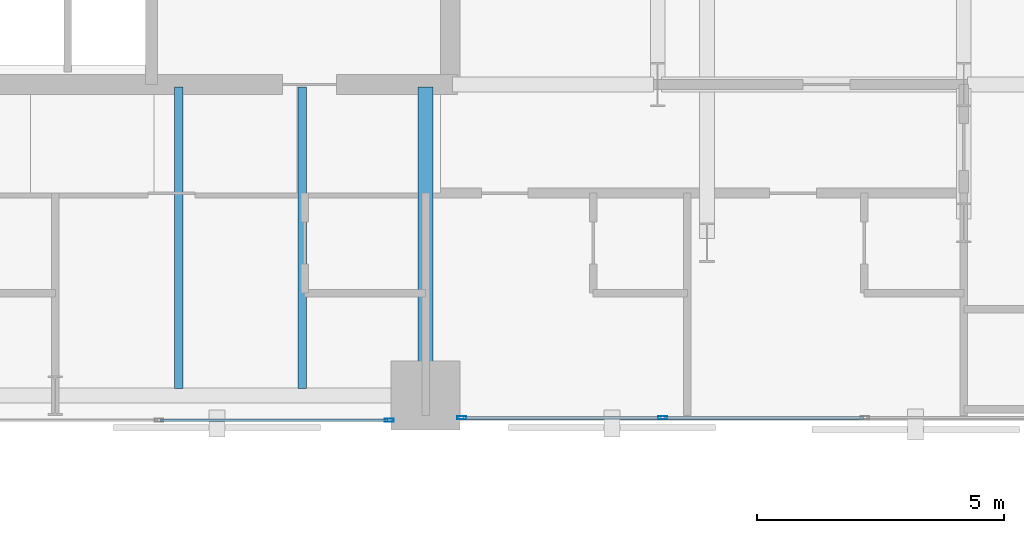
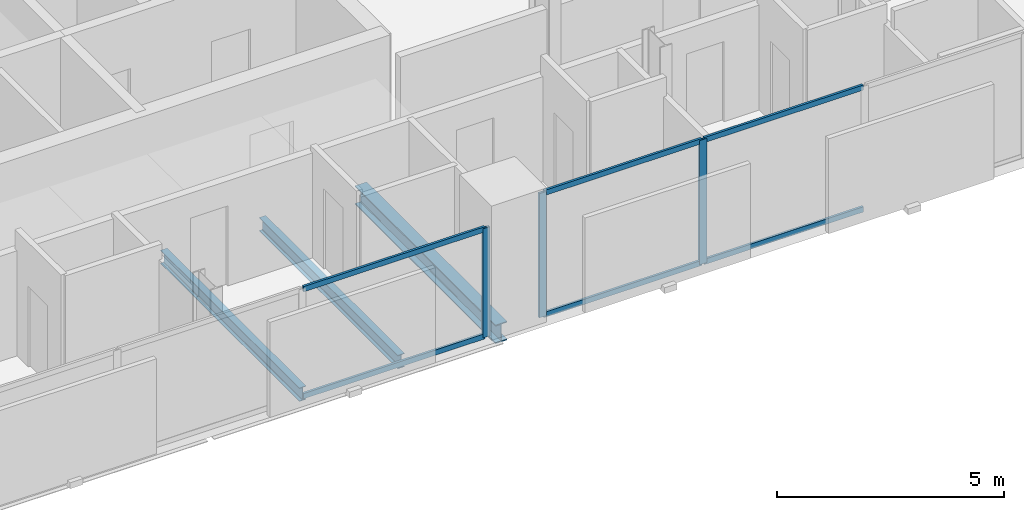
# One storey, part 15 of 33: 9 members, 3 beams, 2 elements without a shape of their own.
"""IFC4 building model written with IfcOpenShell, lengths in metres."""

from ifc_helpers import new_model, si_unit, direction, frame, origin, origin_2d, place, context, subcontext, project, spatial, hollow_rectangle, i_section, extrude, material, layer, layer_set, material_profile, profile_set, type_object, element, aggregate, save


model = new_model("IFC4")

# Units and contexts
model_context = context("Model", 3, precision=1e-05, world=origin(), true_north=direction((0.0, 1.0)))
body_context = subcontext(model_context, "Body", "Model", "MODEL_VIEW")
ifc_project = project(units=[si_unit("LENGTHUNIT", "METRE"), si_unit("AREAUNIT", "SQUARE_METRE"), si_unit("VOLUMEUNIT", "CUBIC_METRE"), si_unit("PLANEANGLEUNIT", "RADIAN"), si_unit("MASSUNIT", "GRAM", prefix="KILO")], contexts=[model_context])

# Site, building, storey
site_placement = place(None, origin())
site = spatial("IfcSite", under=ifc_project, at=site_placement, CompositionType="ELEMENT")
building_placement = place(site_placement, origin())
building = spatial("IfcBuilding", under=site, at=building_placement, Name="Catumbela Crestline Tower", CompositionType="ELEMENT")
storey_placement = place(building_placement, frame((0.0, 0.0, 58.2)))
storey = spatial("IfcBuildingStorey", under=building, at=storey_placement, Name="L14", CompositionType="ELEMENT", Elevation=58.2)

# Beams
ifc_material_1 = material(Name="Structural steel S355J2", Category="steel")
ifc_material_profile_1 = material_profile(ifc_material_1, i_section(OverallWidth=0.3, OverallDepth=0.5, WebThickness=0.0145, FlangeThickness=0.028, FilletRadius=0.027, at=origin_2d()), Name="HEB 500")
ifc_profile_set_1 = profile_set([ifc_material_profile_1], Name="Structural steel S355J2")
beam_type_1 = type_object("IfcBeamType", Name="BG-HEB500", PredefinedType="BEAM", material=ifc_profile_set_1)
beam_placement = place(storey_placement, frame((39.5, 24.58, -0.51), z_axis=(0.0, 1.0, 0.0), x_axis=(-1.0, 0.0, 0.0)))
element("IfcBeam", 1, at=beam_placement, inside=storey, type_object=beam_type_1, Name="L14 Beam BM-L14-SNS34", PredefinedType="BEAM", context=body_context, shape_type="SweptSolid", body=[
    extrude(i_section(OverallWidth=0.3, OverallDepth=0.5, WebThickness=0.0145, FlangeThickness=0.028, FilletRadius=0.027, at=origin_2d()), origin(), (0.0, 0.0, 1.0), 6.17),
])
ifc_material_profile_2 = material_profile(ifc_material_1, i_section(OverallWidth=0.17, OverallDepth=0.36, WebThickness=0.008, FlangeThickness=0.0127, FilletRadius=0.018, at=origin_2d()), Name="IPE 360")
ifc_profile_set_2 = profile_set([ifc_material_profile_2], Name="Structural steel S355J2")
beam_type_2 = type_object("IfcBeamType", Name="BJ-IPE360", PredefinedType="JOIST", material=ifc_profile_set_2)
for number, where, z_axis, x_axis, name in (
    (2, (34.5, 24.647, -0.44), (0.0, 1.0, 0.0), (-1.0, 0.0, 0.0), "L14 Joist JS-L14-SP46"),
    (3, (37.0, 24.647, -0.44), (0.0, 1.0, 0.0), (-1.0, 0.0, 0.0), "L14 Joist JS-L14-SP47"),
):
    element("IfcBeam", number, at=place(storey_placement, frame(where, z_axis=z_axis, x_axis=x_axis)), inside=storey, type_object=beam_type_2, Name=name, PredefinedType="JOIST", context=body_context, shape_type="SweptSolid", body=[
        extrude(i_section(OverallWidth=0.17, OverallDepth=0.36, WebThickness=0.008, FlangeThickness=0.0127, FilletRadius=0.018, at=origin_2d()), origin(), (0.0, 0.0, 1.0), 6.103),
    ])

# Curtain wall, member
ifc_material_2 = material(Name="Aluminium alloy AW-6060-T66", Category="aluminium")
ifc_layer = layer(ifc_material_2, 0.18, Name="Aluminium alloy AW-6060-T66")
ifc_layer_set = layer_set([ifc_layer], Name="Aluminium alloy AW-6060-T66")
curtain_wall_type = type_object("IfcCurtainWallType", Name="CWU-Z1", PredefinedType="USERDEFINED", material=ifc_layer_set)
curtain_wall_1_placement = place(storey_placement, origin())
curtain_wall_1 = element("IfcCurtainWall", 4, at=curtain_wall_1_placement, inside=storey, type_object=curtain_wall_type, Name="L14 Unitised Curtain Wall CW-L14-E3S1", ObjectType="UNITISED", PredefinedType="USERDEFINED")
ifc_material_profile_3 = material_profile(ifc_material_2, hollow_rectangle(XDim=0.065, YDim=0.18, WallThickness=0.004, at=origin_2d()), Name="ALU 180x65x4")
ifc_profile_set_3 = profile_set([ifc_material_profile_3], Name="Aluminium alloy AW-6060-T66")
member_type_1 = type_object("IfcMemberType", Name="MUL-180X65", PredefinedType="MULLION", material=ifc_profile_set_3)
member_1_placement = place(storey_placement, frame((38.7675, 24.0, 0.0), z_axis=(0.0, 0.0, 1.0), x_axis=(0.0, 1.0, 0.0)))
member_1 = element("IfcMember", 5, at=member_1_placement, type_object=member_type_1, Name="CWU-Z1 mullion 4", PredefinedType="MULLION", context=body_context, shape_type="SweptSolid", body=[
    extrude(hollow_rectangle(XDim=0.065, YDim=0.18, WallThickness=0.004, at=origin_2d()), origin(), (0.0, 0.0, 1.0), 2.93),
])

# Curtain wall, members
curtain_wall_2_placement = place(storey_placement, origin())
curtain_wall_2 = element("IfcCurtainWall", 6, at=curtain_wall_2_placement, inside=storey, type_object=curtain_wall_type, Name="L14 Unitised Curtain Wall CW-L14-E3S2", ObjectType="UNITISED", PredefinedType="USERDEFINED")
member_2_placement = place(storey_placement, frame((40.2325, 24.05, 0.0), z_axis=(0.0, 0.0, 1.0), x_axis=(0.0, 1.0, 0.0)))
member_2 = element("IfcMember", 7, at=member_2_placement, type_object=member_type_1, Name="CWU-Z1 mullion 1", PredefinedType="MULLION", context=body_context, shape_type="SweptSolid", body=[
    extrude(hollow_rectangle(XDim=0.065, YDim=0.18, WallThickness=0.004, at=origin_2d()), origin(), (0.0, 0.0, 1.0), 3.33),
])
member_3_placement = place(storey_placement, frame((44.3, 24.05, 0.0), z_axis=(0.0, 0.0, 1.0), x_axis=(0.0, 1.0, 0.0)))
member_3 = element("IfcMember", 8, at=member_3_placement, type_object=member_type_1, Name="CWU-Z1 mullion 2", PredefinedType="MULLION", context=body_context, shape_type="SweptSolid", body=[
    extrude(hollow_rectangle(XDim=0.065, YDim=0.18, WallThickness=0.004, at=origin_2d()), origin(), (0.0, 0.0, 1.0), 3.33),
])

# Member
ifc_material_profile_4 = material_profile(ifc_material_2, hollow_rectangle(XDim=0.06, YDim=0.14, WallThickness=0.004, at=origin_2d()), Name="ALU 140x60x4")
ifc_profile_set_4 = profile_set([ifc_material_profile_4], Name="Aluminium alloy AW-6060-T66")
member_type_2 = type_object("IfcMemberType", Name="TRN-140X60", PredefinedType="USERDEFINED", material=ifc_profile_set_4)
member_4_placement = place(storey_placement, frame((34.1325, 24.0, 0.03), z_axis=(1.0, 0.0, 0.0), x_axis=(0.0, 1.0, 0.0)))
member_4 = element("IfcMember", 9, at=member_4_placement, type_object=member_type_2, Name="CWU-Z1 transom 3.1", ObjectType="TRANSOM", PredefinedType="USERDEFINED", context=body_context, shape_type="SweptSolid", body=[
    extrude(hollow_rectangle(XDim=0.06, YDim=0.14, WallThickness=0.004, at=origin_2d()), origin(), (0.0, 0.0, 1.0), 4.6025),
])

member_5_placement = place(storey_placement, frame((34.1325, 24.0, 2.9), z_axis=(1.0, 0.0, 0.0), x_axis=(0.0, 1.0, 0.0)))
member_5 = element("IfcMember", 10, at=member_5_placement, type_object=member_type_2, Name="CWU-Z1 transom 3.2", ObjectType="TRANSOM", PredefinedType="USERDEFINED", context=body_context, shape_type="SweptSolid", body=[
    extrude(hollow_rectangle(XDim=0.06, YDim=0.14, WallThickness=0.004, at=origin_2d()), origin(), (0.0, 0.0, 1.0), 4.6025),
])

aggregate(curtain_wall_1, [member_1, member_4, member_5])

member_6_placement = place(storey_placement, frame((40.265, 24.05, 0.03), z_axis=(1.0, 0.0, 0.0), x_axis=(0.0, 1.0, 0.0)))
member_6 = element("IfcMember", 11, at=member_6_placement, type_object=member_type_2, Name="CWU-Z1 transom 1.1", ObjectType="TRANSOM", PredefinedType="USERDEFINED", context=body_context, shape_type="SweptSolid", body=[
    extrude(hollow_rectangle(XDim=0.06, YDim=0.14, WallThickness=0.004, at=origin_2d()), origin(), (0.0, 0.0, 1.0), 4.0025),
])

member_7_placement = place(storey_placement, frame((40.265, 24.05, 3.3), z_axis=(1.0, 0.0, 0.0), x_axis=(0.0, 1.0, 0.0)))
member_7 = element("IfcMember", 12, at=member_7_placement, type_object=member_type_2, Name="CWU-Z1 transom 1.2", ObjectType="TRANSOM", PredefinedType="USERDEFINED", context=body_context, shape_type="SweptSolid", body=[
    extrude(hollow_rectangle(XDim=0.06, YDim=0.14, WallThickness=0.004, at=origin_2d()), origin(), (0.0, 0.0, 1.0), 4.0025),
])

member_8_placement = place(storey_placement, frame((44.3325, 24.05, 0.03), z_axis=(1.0, 0.0, 0.0), x_axis=(0.0, 1.0, 0.0)))
member_8 = element("IfcMember", 13, at=member_8_placement, type_object=member_type_2, Name="CWU-Z1 transom 2.1", ObjectType="TRANSOM", PredefinedType="USERDEFINED", context=body_context, shape_type="SweptSolid", body=[
    extrude(hollow_rectangle(XDim=0.06, YDim=0.14, WallThickness=0.004, at=origin_2d()), origin(), (0.0, 0.0, 1.0), 4.035),
])

member_9_placement = place(storey_placement, frame((44.3325, 24.05, 3.3), z_axis=(1.0, 0.0, 0.0), x_axis=(0.0, 1.0, 0.0)))
member_9 = element("IfcMember", 14, at=member_9_placement, type_object=member_type_2, Name="CWU-Z1 transom 2.2", ObjectType="TRANSOM", PredefinedType="USERDEFINED", context=body_context, shape_type="SweptSolid", body=[
    extrude(hollow_rectangle(XDim=0.06, YDim=0.14, WallThickness=0.004, at=origin_2d()), origin(), (0.0, 0.0, 1.0), 4.035),
])

aggregate(curtain_wall_2, [member_2, member_3, member_6, member_7, member_8, member_9])

save(model, "model.ifc")
